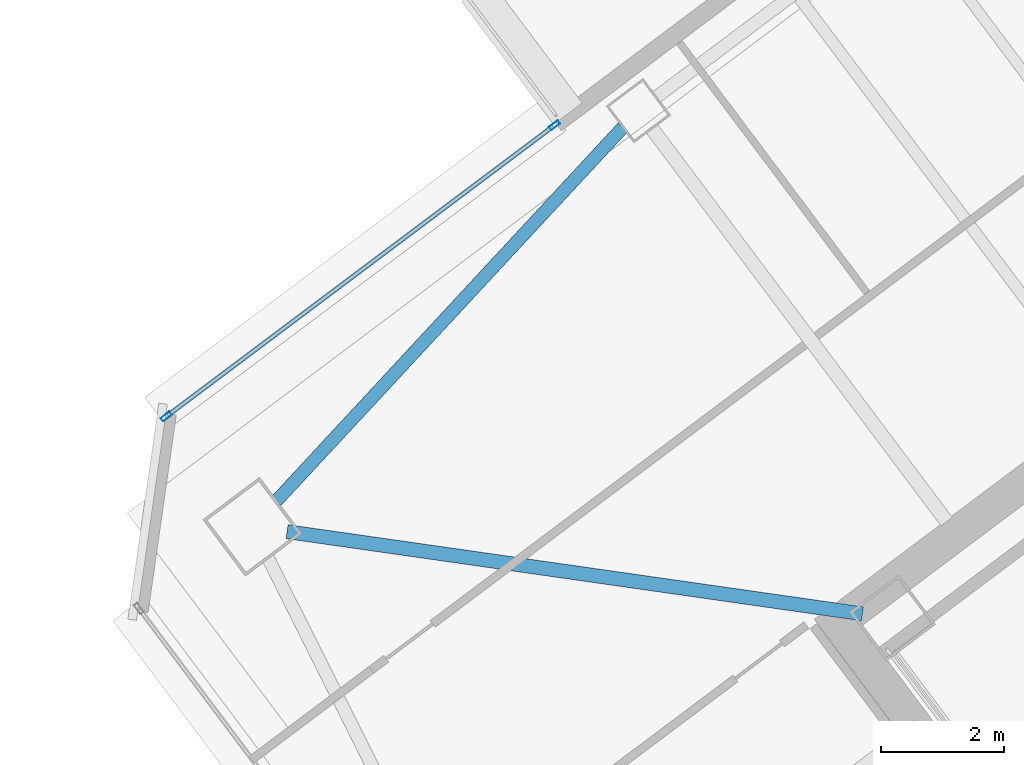
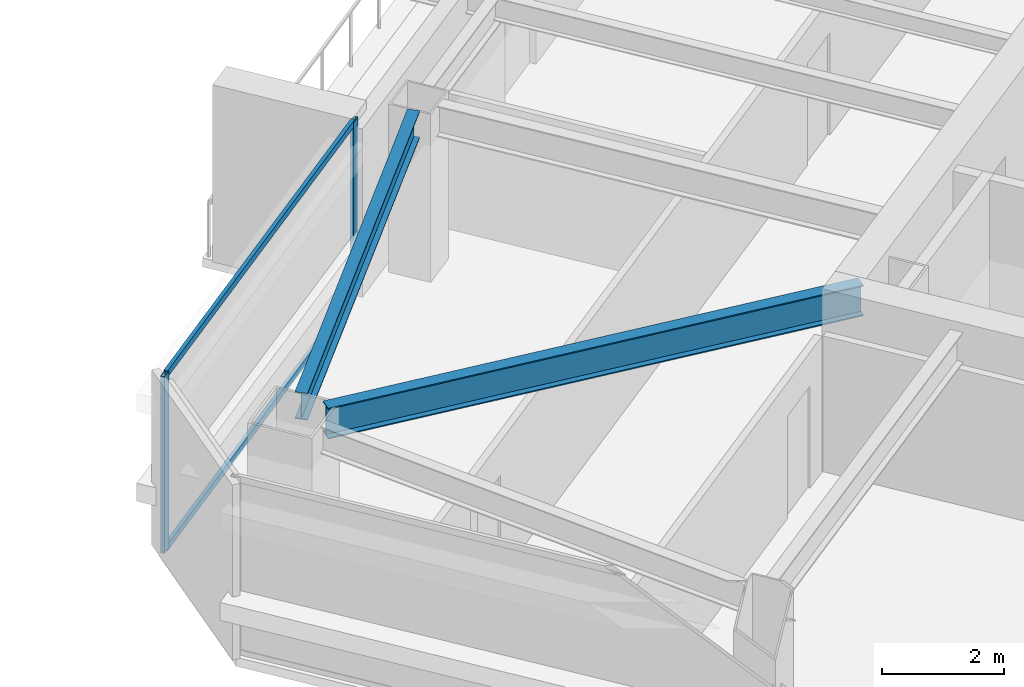
# One storey, part 22 of 43: 4 members, 2 beams, 1 element without a shape of its own.
"""IFC4 building model written with IfcOpenShell, lengths in metres."""

import ifcopenshell
import ifcopenshell.guid

model = None  # the IFC model being written
_history = None  # IfcOwnerHistory: only IFC2X3 demands one
_inside = {}  # id of a spatial element -> (the spatial element, [elements in it])
_under = {}  # id of a project, library or spatial element -> (it, [spatial elements below it])
_declared = {}  # id of a project -> (the project, [libraries it declares])
_typed = {}  # id of a type object -> (the type object, [elements of that type])
_made_of = {}  # id of a material, layer set ... -> (it, [elements and type objects made of it])


def new_model(schema):
    """Start an empty IFC model of exactly this schema.

    Asked for "IFC4X3", IfcOpenShell would pick the latest addendum, in which some entities
    have other attributes; the version numbers below select the first issue.
    IFC2X3 requires an IfcOwnerHistory on every rooted entity: one is made here for all.
    """
    global model, _history
    if schema == "IFC4X3":
        model = ifcopenshell.file(schema_version=(4, 3, 0, 0))
    else:
        model = ifcopenshell.file(schema=schema)
    _inside.clear()
    _under.clear()
    _declared.clear()
    _typed.clear()
    _made_of.clear()
    _history = None
    if model.schema == "IFC2X3":
        org = make("IfcOrganization", Name="unknown")
        user = make(
            "IfcPersonAndOrganization",
            ThePerson=make("IfcPerson", FamilyName="unknown"),
            TheOrganization=org,
        )
        app = make(
            "IfcApplication",
            ApplicationDeveloper=org,
            Version="unknown",
            ApplicationFullName="unknown",
            ApplicationIdentifier="unknown",
        )
        _history = make(
            "IfcOwnerHistory",
            OwningUser=user,
            OwningApplication=app,
            ChangeAction="ADDED",
            CreationDate=0,
        )
    return model


def make(cls, **values):
    """One entity of the class cls with the attributes given. An attribute that is None is left unset."""
    return model.create_entity(
        cls, **{name: value for name, value in values.items() if value is not None}
    )


def rooted(cls, **values):
    """An entity with a GlobalId (a new one), such as an element, a storey or a relation."""
    return make(cls, GlobalId=ifcopenshell.guid.new(), OwnerHistory=_history, **values)


def si_unit(unit_type, name, prefix=None):
    """IfcSIUnit, for example si_unit("LENGTHUNIT", "METRE", prefix="MILLI")."""
    return make("IfcSIUnit", UnitType=unit_type, Prefix=prefix, Name=name)


def assignment(units):
    """IfcUnitAssignment: the units of a project."""
    return None if units is None else make("IfcUnitAssignment", Units=units)


def point(xyz):
    """IfcCartesianPoint."""
    return None if xyz is None else make("IfcCartesianPoint", Coordinates=xyz)


def direction(xyz):
    """IfcDirection."""
    return None if xyz is None else make("IfcDirection", DirectionRatios=xyz)


def frame(location, z_axis=None, x_axis=None):
    """IfcAxis2Placement3D, a coordinate frame: its origin and axes. An axis left out is left unset."""
    return make(
        "IfcAxis2Placement3D",
        Location=point(location),
        Axis=direction(z_axis),
        RefDirection=direction(x_axis),
    )


def frame_2d(location, x_axis=None):
    """IfcAxis2Placement2D, a coordinate frame in the plane: its origin and x axis."""
    return make(
        "IfcAxis2Placement2D", Location=point(location), RefDirection=direction(x_axis)
    )


def origin():
    """The frame at (0, 0, 0) with its axes left unset."""
    return frame((0.0, 0.0, 0.0))


def origin_2d():
    """The frame at (0, 0) in the plane with its x axis left unset."""
    return frame_2d((0.0, 0.0))


def place(relative_to, where):
    """IfcLocalPlacement: puts the frame where relative to a parent placement (None: the world)."""
    return make(
        "IfcLocalPlacement", PlacementRelTo=relative_to, RelativePlacement=where
    )


def context(
    kind, dimensions, precision=None, world=None, true_north=None, identifier=None
):
    """IfcGeometricRepresentationContext, for example the 3D "Model" context."""
    return make(
        "IfcGeometricRepresentationContext",
        ContextIdentifier=identifier,
        ContextType=kind,
        CoordinateSpaceDimension=dimensions,
        Precision=precision,
        WorldCoordinateSystem=world,
        TrueNorth=true_north,
    )


def subcontext(parent, identifier, kind, view, scale=None):
    """IfcGeometricRepresentationSubContext, for example "Body" below "Model"."""
    return make(
        "IfcGeometricRepresentationSubContext",
        ContextIdentifier=identifier,
        ContextType=kind,
        ParentContext=parent,
        TargetScale=scale,
        TargetView=view,
    )


def project(units=None, contexts=None):
    """IfcProject with its units and contexts."""
    return rooted(
        "IfcProject",
        Name="project",
        RepresentationContexts=contexts,
        UnitsInContext=assignment(units),
    )


def spatial(cls, under=None, at=None, **own):
    """A site, building, storey or space (cls), placed at a placement, below another one or the project."""
    s = rooted(cls, ObjectPlacement=at, **own)
    if under is not None:
        _under.setdefault(under.id(), (under, []))[1].append(s)
    return s


def profile(cls, at=None, kind="AREA", **sizes):
    """A parametric profile (cls). Its sizes go by their IFC names, for example OverallWidth=200.0."""
    return make(cls, ProfileType=kind, Position=at, **sizes)


def hollow_rectangle(**sizes):
    """IfcRectangleHollowProfileDef."""
    return profile("IfcRectangleHollowProfileDef", **sizes)


def i_section(**sizes):
    """IfcIShapeProfileDef."""
    return profile("IfcIShapeProfileDef", **sizes)


def extrude(swept, where, along, depth):
    """IfcExtrudedAreaSolid: the profile swept, set in the frame where, extruded along a direction by depth."""
    return make(
        "IfcExtrudedAreaSolid",
        SweptArea=swept,
        Position=where,
        ExtrudedDirection=direction(along),
        Depth=depth,
    )


def shape(context_of_items, identifier, shape_type, items):
    """IfcShapeRepresentation: the items that make up one representation, for example the "Body"."""
    return make(
        "IfcShapeRepresentation",
        ContextOfItems=context_of_items,
        RepresentationIdentifier=identifier,
        RepresentationType=shape_type,
        Items=items,
    )


def material(Name=None, Category=None):
    """IfcMaterial."""
    return make("IfcMaterial", Name=Name, Category=Category)


def material_profile(
    of_material, cross_section, Name=None, Category=None, Priority=None
):
    """IfcMaterialProfile: a cross section and its material."""
    return make(
        "IfcMaterialProfile",
        Name=Name,
        Material=of_material,
        Profile=cross_section,
        Priority=Priority,
        Category=Category,
    )


def profile_set(profiles, Name=None, composite=None):
    """IfcMaterialProfileSet."""
    return make(
        "IfcMaterialProfileSet",
        Name=Name,
        MaterialProfiles=profiles,
        CompositeProfile=composite,
    )


def made_of(thing, what):
    """Note that an element or type object is made of a material, layer set ...; save() writes the relation."""
    if what is not None:
        _made_of.setdefault(what.id(), (what, []))[1].append(thing)
    return thing


def type_object(cls, material=None, **own):
    """A type object (cls), such as IfcWallType, which elements share."""
    return made_of(rooted(cls, **own), material)


def element(
    cls,
    number,
    at=None,
    inside=None,
    cuts=None,
    type_object=None,
    material=None,
    context=None,
    identifier="Body",
    shape_type=None,
    held_by="IfcProductDefinitionShape",
    body=None,
    shapes=None,
    **own,
):
    """One element of the class cls, such as IfcWall. Its Tag is "e" and its number.

    at: its placement. inside: the storey or other place that contains it. cuts: it is an
    opening in that element (IfcRelVoidsElement). A single representation is given by context,
    identifier, shape_type and body (its items); several are given by shapes. held_by: the class
    of the entity that holds the representations. save() writes the other relations.
    """
    e = rooted(cls, Tag="e%d" % number, ObjectPlacement=at, **own)
    if body is not None:
        shapes = [shape(context, identifier, shape_type, body)]
    if shapes is not None:
        e.Representation = make(held_by, Representations=shapes)
    if inside is not None:
        _inside.setdefault(inside.id(), (inside, []))[1].append(e)
    if cuts is not None:
        rooted(
            "IfcRelVoidsElement", RelatingBuildingElement=cuts, RelatedOpeningElement=e
        )
    if type_object is not None:
        _typed.setdefault(type_object.id(), (type_object, []))[1].append(e)
    return made_of(e, material)


def aggregate(whole, parts):
    """IfcRelAggregates: a whole, such as a stair, and the parts it consists of."""
    return rooted("IfcRelAggregates", RelatingObject=whole, RelatedObjects=parts)


def save(model, path):
    """Write the relations noted so far, then the file.

    IfcRelAggregates (storeys below a building ...), IfcRelContainedInSpatialStructure (elements
    in a storey), IfcRelDefinesByType, IfcRelAssociatesMaterial and IfcRelDeclares: one each for
    every whole, place, type object, material and project.
    """
    for whole, parts in _under.values():
        aggregate(whole, parts)
    for where, things in _inside.values():
        rooted(
            "IfcRelContainedInSpatialStructure",
            RelatedElements=things,
            RelatingStructure=where,
        )
    for kind, things in _typed.values():
        rooted("IfcRelDefinesByType", RelatedObjects=things, RelatingType=kind)
    for what, things in _made_of.values():
        rooted("IfcRelAssociatesMaterial", RelatedObjects=things, RelatingMaterial=what)
    for by, libraries in _declared.values():
        rooted("IfcRelDeclares", RelatingContext=by, RelatedDefinitions=libraries)
    model.write(path)


model = new_model("IFC4")

# Units and contexts
model_context = context("Model", 3, precision=1e-05, world=origin(), true_north=direction((0.0, 1.0)))
body_context = subcontext(model_context, "Body", "Model", "MODEL_VIEW")
ifc_project = project(units=[si_unit("LENGTHUNIT", "METRE"), si_unit("AREAUNIT", "SQUARE_METRE"), si_unit("VOLUMEUNIT", "CUBIC_METRE"), si_unit("PLANEANGLEUNIT", "RADIAN"), si_unit("MASSUNIT", "GRAM", prefix="KILO")], contexts=[model_context])

# Site, building, storey
site_placement = place(None, origin())
site = spatial("IfcSite", under=ifc_project, at=site_placement, CompositionType="ELEMENT")
building_placement = place(site_placement, origin())
building = spatial("IfcBuilding", under=site, at=building_placement, Name="Tashvorn Skyway Center", CompositionType="ELEMENT")
storey_placement = place(building_placement, frame((0.0, 0.0, 188.949951171875)))
storey = spatial("IfcBuildingStorey", under=building, at=storey_placement, Name="L51", CompositionType="ELEMENT", Elevation=188.949951171875)

# Beams
ifc_material_1 = material(Name="Steel ASTM A992 Grade 50", Category="steel")
ifc_material_profile_1 = material_profile(ifc_material_1, i_section(OverallWidth=0.22998046875, OverallDepth=0.616943359375, WebThickness=0.01318359375, FlangeThickness=0.022216796875, at=origin_2d()), Name="W24X94")
ifc_profile_set_1 = profile_set([ifc_material_profile_1], Name="Steel ASTM A992 Grade 50")
beam_type_1 = type_object("IfcBeamType", Name="BM-BEAM-W24X94", PredefinedType="BEAM", material=ifc_profile_set_1)
beam_1_placement = place(storey_placement, frame((94.26416015625, 34.8193359375, 3.0615234375), z_axis=(0.989950009213, -0.141417747326, 0.0), x_axis=(0.141417747326, 0.989950009213, 0.0)))
element("IfcBeam", 1, at=beam_1_placement, inside=storey, type_object=beam_type_1, Name="Tower 2 L51 Primary Floor Girder MC-NW", PredefinedType="BEAM", context=body_context, shape_type="SweptSolid", body=[
    extrude(i_section(OverallWidth=0.22998046875, OverallDepth=0.616943359375, WebThickness=0.01318359375, FlangeThickness=0.022216796875, at=origin_2d()), origin(), (0.0, 0.0, 1.0), 9.470947265625),
])
ifc_material_profile_2 = material_profile(ifc_material_1, i_section(OverallWidth=0.2109375, OverallDepth=0.5390625, WebThickness=0.01171875, FlangeThickness=0.018798828125, at=origin_2d()), Name="W21X73")
ifc_profile_set_2 = profile_set([ifc_material_profile_2], Name="Steel ASTM A992 Grade 50")
beam_type_2 = type_object("IfcBeamType", Name="BM-SPANDREL-W21X73", PredefinedType="SPANDREL", material=ifc_profile_set_2)
beam_2_placement = place(storey_placement, frame((99.73828125, 41.40869140625, 3.1005859375), z_axis=(-0.680119661736, -0.733101115618, 0.0), x_axis=(0.733101115618, -0.680119661736, 0.0)))
element("IfcBeam", 2, at=beam_2_placement, inside=storey, type_object=beam_type_2, Name="Tower 2 L51 Spandrel Beam 09", PredefinedType="SPANDREL", context=body_context, shape_type="SweptSolid", body=[
    extrude(i_section(OverallWidth=0.2109375, OverallDepth=0.5390625, WebThickness=0.01171875, FlangeThickness=0.018798828125, at=origin_2d()), origin(), (0.0, 0.0, 1.0), 8.308349609375),
])

# Curtain wall, members
ifc_material_2 = material(Name="Thermally broken bronze-anodized aluminium 6063-T6", Category="aluminium")
curtain_wall_type = type_object("IfcCurtainWallType", Name="CW-CW-Z4", PredefinedType="NOTDEFINED", material=ifc_material_2)
curtain_wall_placement = place(storey_placement, origin())
curtain_wall = element("IfcCurtainWall", 3, at=curtain_wall_placement, inside=storey, type_object=curtain_wall_type, Name="Tower 2 L51 North Curtain Wall L", PredefinedType="NOTDEFINED")
ifc_material_profile_3 = material_profile(ifc_material_2, hollow_rectangle(XDim=0.070068359375, YDim=0.179931640625, WallThickness=0.00390625, at=origin_2d()), Name="ALU-MULL-70x180")
ifc_profile_set_3 = profile_set([ifc_material_profile_3], Name="Thermally broken bronze-anodized aluminium 6063-T6")
member_type_1 = type_object("IfcMemberType", Name="CWM-CW-Z4", PredefinedType="MULLION", material=ifc_profile_set_3)
member_1_placement = place(storey_placement, frame((92.2958984375, 36.697021484375, 0.0), z_axis=(0.0, 0.0, 1.0), x_axis=(-0.600000000002, 0.799999999998, 0.0)))
member_1 = element("IfcMember", 4, at=member_1_placement, type_object=member_type_1, Name="CW-Z4 mullion 1", PredefinedType="MULLION", context=body_context, shape_type="SweptSolid", body=[
    extrude(hollow_rectangle(XDim=0.070068359375, YDim=0.179931640625, WallThickness=0.00390625, at=origin_2d()), origin(), (0.0, 0.0, 1.0), 3.550048828125),
])
member_2_placement = place(storey_placement, frame((98.6240234375, 41.443115234375, 0.0), z_axis=(0.0, 0.0, 1.0), x_axis=(-0.600000000002, 0.799999999998, 0.0)))
member_2 = element("IfcMember", 5, at=member_2_placement, type_object=member_type_1, Name="CW-Z4 mullion 2", PredefinedType="MULLION", context=body_context, shape_type="SweptSolid", body=[
    extrude(hollow_rectangle(XDim=0.070068359375, YDim=0.179931640625, WallThickness=0.00390625, at=origin_2d()), origin(), (0.0, 0.0, 1.0), 3.550048828125),
])
ifc_material_profile_4 = material_profile(ifc_material_2, hollow_rectangle(XDim=0.070068359375, YDim=0.1298828125, WallThickness=0.00390625, at=origin_2d()), Name="ALU-TRAN-70x130")
ifc_profile_set_4 = profile_set([ifc_material_profile_4], Name="Thermally broken bronze-anodized aluminium 6063-T6")
member_type_2 = type_object("IfcMemberType", Name="CWT-CW-Z4", PredefinedType="USERDEFINED", material=ifc_profile_set_4)
member_3_placement = place(storey_placement, frame((92.323974609375, 36.718017578125, 0.03515625), z_axis=(0.799992526283, 0.600009964827, 0.0), x_axis=(-0.600009964827, 0.799992526283, 0.0)))
member_3 = element("IfcMember", 6, at=member_3_placement, type_object=member_type_2, Name="CW-Z4 transom 1.1", ObjectType="TRANSOM", PredefinedType="USERDEFINED", context=body_context, shape_type="SweptSolid", body=[
    extrude(hollow_rectangle(XDim=0.070068359375, YDim=0.1298828125, WallThickness=0.00390625, at=origin_2d()), origin(), (0.0, 0.0, 1.0), 7.840087890625),
])
member_4_placement = place(storey_placement, frame((92.323974609375, 36.718017578125, 3.51513671875), z_axis=(0.799992526283, 0.600009964827, 0.0), x_axis=(-0.600009964827, 0.799992526283, 0.0)))
member_4 = element("IfcMember", 7, at=member_4_placement, type_object=member_type_2, Name="CW-Z4 transom 1.2", ObjectType="TRANSOM", PredefinedType="USERDEFINED", context=body_context, shape_type="SweptSolid", body=[
    extrude(hollow_rectangle(XDim=0.070068359375, YDim=0.1298828125, WallThickness=0.00390625, at=origin_2d()), origin(), (0.0, 0.0, 1.0), 7.840087890625),
])
aggregate(curtain_wall, [member_1, member_2, member_3, member_4])

save(model, "model.ifc")
